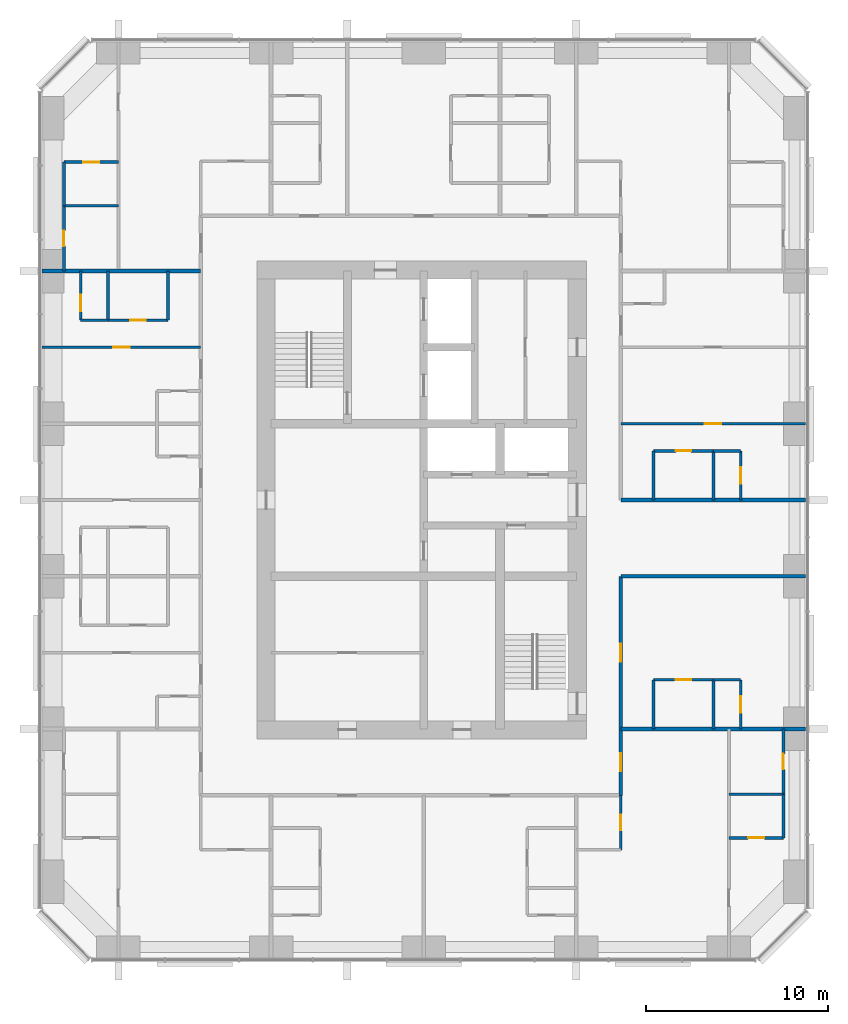
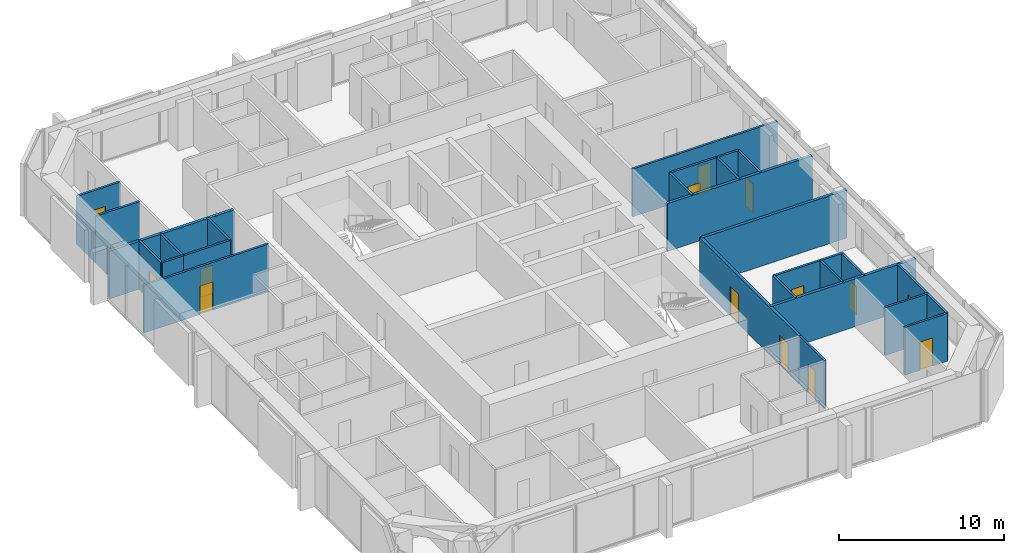
# One storey, part 9 of 12: 31 walls, 15 doors, 15 openings.
"""IFC4 building model written with IfcOpenShell, lengths in metres."""

from ifc_helpers import new_model, si_unit, direction, frame, frame_2d, origin, place, context, subcontext, project, spatial, rectangle, extrude, material, layer, layer_set, type_object, element, fill, save


model = new_model("IFC4")

# Units and contexts
model_context = context("Model", 3, precision=1e-05, world=origin(), true_north=direction((0.0, 1.0)))
body_context = subcontext(model_context, "Body", "Model", "MODEL_VIEW")
ifc_project = project(units=[si_unit("LENGTHUNIT", "METRE"), si_unit("AREAUNIT", "SQUARE_METRE"), si_unit("VOLUMEUNIT", "CUBIC_METRE"), si_unit("PLANEANGLEUNIT", "RADIAN"), si_unit("MASSUNIT", "GRAM", prefix="KILO")], contexts=[model_context])

# Site, building, storey
site_placement = place(None, origin())
site = spatial("IfcSite", under=ifc_project, at=site_placement, CompositionType="ELEMENT")
building_placement = place(site_placement, origin())
building = spatial("IfcBuilding", under=site, at=building_placement, Name="Dunama Terrace Hotel", CompositionType="ELEMENT")
storey_placement = place(building_placement, frame((0.0, 0.0, 229.5)))
storey = spatial("IfcBuildingStorey", under=building, at=storey_placement, Name="L59", CompositionType="ELEMENT", Elevation=229.5)

# Wall, opening, door
ifc_material_1 = material(Name="Gypsum board partition", Category="masonry")
ifc_layer_1 = layer(ifc_material_1, 0.14990234375)
ifc_layer_set_1 = layer_set([ifc_layer_1], Name="Bathroom partition 150")
wall_type_1 = type_object("IfcWallType", Name="Bathroom partition 150", PredefinedType="PARTITIONING", material=ifc_layer_set_1)
wall_1_placement = place(storey_placement, frame((13.800048828125, 42.0, 0.0), z_axis=(0.0, 0.0, 1.0), x_axis=(0.0, 1.0, 0.0)))
wall_1 = element("IfcWall", 1, at=wall_1_placement, inside=storey, type_object=wall_type_1, Name="Bathroom partition 150 L59", PredefinedType="PARTITIONING", context=body_context, shape_type="SweptSolid", body=[
    extrude(rectangle(XDim=3.60009765625, YDim=0.14990234375, at=frame_2d((1.800048828125, 0.0))), origin(), (0.0, 0.0, 1.0), 3.550048828125),
])
opening_1_placement = place(wall_1_placement, frame((1.375, 0.0, 0.0)))
opening_1 = element("IfcOpeningElement", 2, at=opening_1_placement, cuts=wall_1, Name="Opening L59-064", PredefinedType="OPENING", context=body_context, shape_type="SweptSolid", body=[
    extrude(rectangle(XDim=0.85009765625, YDim=2.10009765625, at=frame_2d((0.425048828125, 1.050048828125))), frame((0.0, 0.0849609375, 0.0), z_axis=(0.0, -1.0, 0.0), x_axis=(1.0, 0.0, 0.0)), (0.0, 0.0, 1.0), 0.169921875),
])
ifc_material_2 = material(Name="Timber door with steel frame", Category="steel")
door_type_1 = type_object("IfcDoorType", Name="Bathroom door 850", OperationType="SINGLE_SWING_LEFT", PredefinedType="DOOR", material=ifc_material_2)
door_1_placement = place(opening_1_placement, frame((0.85009765625, 0.0, 0.0), z_axis=(0.0, 0.0, 1.0), x_axis=(-1.0, 0.0, 0.0)))
door_1 = element("IfcDoor", 3, at=door_1_placement, inside=storey, type_object=door_type_1, Name="Door to en-suite bathroom L59-064, type D2", OperationType="SINGLE_SWING_RIGHT", OverallHeight=2.10009765625, OverallWidth=0.85009765625, PredefinedType="DOOR", context=body_context, shape_type="SweptSolid", body=[
    extrude(rectangle(XDim=0.85009765625, YDim=2.10009765625, at=frame_2d((0.425048828125, 1.050048828125))), frame((0.0, 0.025146484375, 0.0), z_axis=(0.0, -1.0, 0.0), x_axis=(1.0, 0.0, 0.0)), (0.0, 0.0, 1.0), 0.050048828125),
])
fill(opening_1, door_1)

# Wall
wall_2_placement = place(storey_placement, frame((19.52490234375, 39.300048828125, 0.0), z_axis=(0.0, 0.0, 1.0), x_axis=(0.0, 1.0, 0.0)))
element("IfcWall", 4, at=wall_2_placement, inside=storey, type_object=wall_type_1, Name="Bathroom partition 150 L59", PredefinedType="PARTITIONING", context=body_context, shape_type="SweptSolid", body=[
    extrude(rectangle(XDim=2.699951171875, YDim=0.14990234375, at=frame_2d((1.35009765625, 0.0))), origin(), (0.0, 0.0, 1.0), 3.550048828125),
])

# Wall, opening, door
wall_3_placement = place(storey_placement, frame((44.449951171875, 10.14990234375, 0.0), z_axis=(0.0, 0.0, 1.0), x_axis=(0.0, 1.0, 0.0)))
wall_3 = element("IfcWall", 5, at=wall_3_placement, inside=storey, type_object=wall_type_1, Name="Bathroom partition 150 L59", PredefinedType="PARTITIONING", context=body_context, shape_type="SweptSolid", body=[
    extrude(rectangle(XDim=3.0, YDim=0.14990234375, at=frame_2d((1.5, 0.0))), origin(), (0.0, 0.0, 1.0), 3.550048828125),
])
opening_2_placement = place(wall_3_placement, frame((1.074951171875, 0.0, 0.0)))
opening_2 = element("IfcOpeningElement", 6, at=opening_2_placement, cuts=wall_3, Name="Opening L59-052", PredefinedType="OPENING", context=body_context, shape_type="SweptSolid", body=[
    extrude(rectangle(XDim=0.85009765625, YDim=2.10009765625, at=frame_2d((0.425048828125, 1.050048828125))), frame((0.0, 0.0849609375, 0.0), z_axis=(0.0, -1.0, 0.0), x_axis=(1.0, 0.0, 0.0)), (0.0, 0.0, 1.0), 0.169921875),
])
door_2_placement = place(opening_2_placement, origin())
door_2 = element("IfcDoor", 7, at=door_2_placement, inside=storey, type_object=door_type_1, Name="Door to powder room L59-052, type D2", OperationType="SINGLE_SWING_RIGHT", OverallHeight=2.10009765625, OverallWidth=0.85009765625, PredefinedType="DOOR", context=body_context, shape_type="SweptSolid", body=[
    extrude(rectangle(XDim=0.85009765625, YDim=2.10009765625, at=frame_2d((0.425048828125, 1.050048828125))), frame((0.0, 0.02490234375, 0.0), z_axis=(0.0, -1.0, 0.0), x_axis=(1.0, 0.0, 0.0)), (0.0, 0.0, 1.0), 0.050048828125),
])
fill(opening_2, door_2)

# Walls
wall_4_placement = place(storey_placement, frame((46.25, 16.800048828125, 0.0), z_axis=(0.0, 0.0, 1.0), x_axis=(0.0, 1.0, 0.0)))
element("IfcWall", 8, at=wall_4_placement, inside=storey, type_object=wall_type_1, Name="Bathroom partition 150 L59", PredefinedType="PARTITIONING", context=body_context, shape_type="SweptSolid", body=[
    extrude(rectangle(XDim=2.699951171875, YDim=0.14990234375, at=frame_2d((1.35009765625, 0.0))), origin(), (0.0, 0.0, 1.0), 3.550048828125),
])
wall_5_placement = place(storey_placement, frame((46.25, 29.39990234375, 0.0), z_axis=(0.0, 0.0, 1.0), x_axis=(0.0, 1.0, 0.0)))
element("IfcWall", 9, at=wall_5_placement, inside=storey, type_object=wall_type_1, Name="Bathroom partition 150 L59", PredefinedType="PARTITIONING", context=body_context, shape_type="SweptSolid", body=[
    extrude(rectangle(XDim=2.7001953125, YDim=0.14990234375, at=frame_2d((1.35009765625, 0.0))), origin(), (0.0, 0.0, 1.0), 3.550048828125),
])

# Wall, opening, door
wall_6_placement = place(storey_placement, frame((53.39990234375, 13.199951171875, 0.0), z_axis=(0.0, 0.0, 1.0), x_axis=(0.0, 1.0, 0.0)))
wall_6 = element("IfcWall", 10, at=wall_6_placement, inside=storey, type_object=wall_type_1, Name="Bathroom partition 150 L59", PredefinedType="PARTITIONING", context=body_context, shape_type="SweptSolid", body=[
    extrude(rectangle(XDim=3.60009765625, YDim=0.14990234375, at=frame_2d((1.800048828125, 0.0))), origin(), (0.0, 0.0, 1.0), 3.550048828125),
])
opening_3_placement = place(wall_6_placement, frame((1.375, 0.0, 0.0)))
opening_3 = element("IfcOpeningElement", 11, at=opening_3_placement, cuts=wall_6, Name="Opening L59-054", PredefinedType="OPENING", context=body_context, shape_type="SweptSolid", body=[
    extrude(rectangle(XDim=0.85009765625, YDim=2.10009765625, at=frame_2d((0.425048828125, 1.050048828125))), frame((0.0, 0.0849609375, 0.0), z_axis=(0.0, -1.0, 0.0), x_axis=(1.0, 0.0, 0.0)), (0.0, 0.0, 1.0), 0.169921875),
])
door_3_placement = place(opening_3_placement, origin())
door_3 = element("IfcDoor", 12, at=door_3_placement, inside=storey, type_object=door_type_1, Name="Door to en-suite bathroom L59-054, type D2", OperationType="SINGLE_SWING_RIGHT", OverallHeight=2.10009765625, OverallWidth=0.85009765625, PredefinedType="DOOR", context=body_context, shape_type="SweptSolid", body=[
    extrude(rectangle(XDim=0.85009765625, YDim=2.10009765625, at=frame_2d((0.425048828125, 1.050048828125))), frame((0.0, 0.02490234375, 0.0), z_axis=(0.0, -1.0, 0.0), x_axis=(1.0, 0.0, 0.0)), (0.0, 0.0, 1.0), 0.050048828125),
])
fill(opening_3, door_3)

wall_7_placement = place(storey_placement, frame((46.25, 19.5, 0.0), z_axis=(0.0, 0.0, 1.0), x_axis=(1.0, 0.0, 0.0)))
wall_7 = element("IfcWall", 13, at=wall_7_placement, inside=storey, type_object=wall_type_1, Name="Bathroom partition 150 L59", PredefinedType="PARTITIONING", context=body_context, shape_type="SweptSolid", body=[
    extrude(rectangle(XDim=3.300048828125, YDim=0.14990234375, at=frame_2d((1.64990234375, 0.0))), origin(), (0.0, 0.0, 1.0), 3.550048828125),
])
opening_4_placement = place(wall_7_placement, frame((1.22509765625, 0.0, 0.0)))
opening_4 = element("IfcOpeningElement", 14, at=opening_4_placement, cuts=wall_7, Name="Opening L59-014", PredefinedType="OPENING", context=body_context, shape_type="SweptSolid", body=[
    extrude(rectangle(XDim=0.85009765625, YDim=2.10009765625, at=frame_2d((0.425048828125, 1.050048828125))), frame((0.0, 0.0849609375, 0.0), z_axis=(0.0, -1.0, 0.0), x_axis=(1.0, 0.0, 0.0)), (0.0, 0.0, 1.0), 0.169921875),
])
door_4_placement = place(opening_4_placement, frame((0.85009765625, 0.0, 0.0), z_axis=(0.0, 0.0, 1.0), x_axis=(-1.0, 0.0, 0.0)))
door_4 = element("IfcDoor", 15, at=door_4_placement, inside=storey, type_object=door_type_1, Name="Door to en-suite bathroom L59-014, type D2", OperationType="SINGLE_SWING_LEFT", OverallHeight=2.10009765625, OverallWidth=0.85009765625, PredefinedType="DOOR", context=body_context, shape_type="SweptSolid", body=[
    extrude(rectangle(XDim=0.85009765625, YDim=2.10009765625, at=frame_2d((0.425048828125, 1.050048828125))), frame((0.0, 0.025146484375, 0.0), z_axis=(0.0, -1.0, 0.0), x_axis=(1.0, 0.0, 0.0)), (0.0, 0.0, 1.0), 0.050048828125),
])
fill(opening_4, door_4)

wall_8_placement = place(storey_placement, frame((46.25, 32.10009765625, 0.0), z_axis=(0.0, 0.0, 1.0), x_axis=(1.0, 0.0, 0.0)))
wall_8 = element("IfcWall", 16, at=wall_8_placement, inside=storey, type_object=wall_type_1, Name="Bathroom partition 150 L59", PredefinedType="PARTITIONING", context=body_context, shape_type="SweptSolid", body=[
    extrude(rectangle(XDim=3.300048828125, YDim=0.14990234375, at=frame_2d((1.64990234375, 0.0))), origin(), (0.0, 0.0, 1.0), 3.550048828125),
])
opening_5_placement = place(wall_8_placement, frame((1.22509765625, 0.0, 0.0)))
opening_5 = element("IfcOpeningElement", 17, at=opening_5_placement, cuts=wall_8, Name="Opening L59-020", PredefinedType="OPENING", context=body_context, shape_type="SweptSolid", body=[
    extrude(rectangle(XDim=0.85009765625, YDim=2.10009765625, at=frame_2d((0.425048828125, 1.050048828125))), frame((0.0, 0.0849609375, 0.0), z_axis=(0.0, -1.0, 0.0), x_axis=(1.0, 0.0, 0.0)), (0.0, 0.0, 1.0), 0.169921875),
])
door_5_placement = place(opening_5_placement, frame((0.85009765625, 0.0, 0.0), z_axis=(0.0, 0.0, 1.0), x_axis=(-1.0, 0.0, 0.0)))
door_5 = element("IfcDoor", 18, at=door_5_placement, inside=storey, type_object=door_type_1, Name="Door to en-suite bathroom L59-020, type D2", OperationType="SINGLE_SWING_LEFT", OverallHeight=2.10009765625, OverallWidth=0.85009765625, PredefinedType="DOOR", context=body_context, shape_type="SweptSolid", body=[
    extrude(rectangle(XDim=0.85009765625, YDim=2.10009765625, at=frame_2d((0.425048828125, 1.050048828125))), frame((0.0, 0.025146484375, 0.0), z_axis=(0.0, -1.0, 0.0), x_axis=(1.0, 0.0, 0.0)), (0.0, 0.0, 1.0), 0.050048828125),
])
fill(opening_5, door_5)

wall_9_placement = place(storey_placement, frame((16.22509765625, 39.300048828125, 0.0), z_axis=(0.0, 0.0, 1.0), x_axis=(1.0, 0.0, 0.0)))
wall_9 = element("IfcWall", 19, at=wall_9_placement, inside=storey, type_object=wall_type_1, Name="Bathroom partition 150 L59", PredefinedType="PARTITIONING", context=body_context, shape_type="SweptSolid", body=[
    extrude(rectangle(XDim=3.2998046875, YDim=0.14990234375, at=frame_2d((1.64990234375, 0.0))), origin(), (0.0, 0.0, 1.0), 3.550048828125),
])
opening_6_placement = place(wall_9_placement, frame((1.22509765625, 0.0, 0.0)))
opening_6 = element("IfcOpeningElement", 20, at=opening_6_placement, cuts=wall_9, Name="Opening L59-044", PredefinedType="OPENING", context=body_context, shape_type="SweptSolid", body=[
    extrude(rectangle(XDim=0.85009765625, YDim=2.10009765625, at=frame_2d((0.425048828125, 1.050048828125))), frame((0.0, 0.0849609375, 0.0), z_axis=(0.0, -1.0, 0.0), x_axis=(1.0, 0.0, 0.0)), (0.0, 0.0, 1.0), 0.169921875),
])
door_6_placement = place(opening_6_placement, origin())
door_6 = element("IfcDoor", 21, at=door_6_placement, inside=storey, type_object=door_type_1, Name="Door to en-suite bathroom L59-044, type D2", OperationType="SINGLE_SWING_RIGHT", OverallHeight=2.10009765625, OverallWidth=0.85009765625, PredefinedType="DOOR", context=body_context, shape_type="SweptSolid", body=[
    extrude(rectangle(XDim=0.85009765625, YDim=2.10009765625, at=frame_2d((0.425048828125, 1.050048828125))), frame((0.0, 0.02490234375, 0.0), z_axis=(0.0, -1.0, 0.0), x_axis=(1.0, 0.0, 0.0)), (0.0, 0.0, 1.0), 0.050048828125),
])
fill(opening_6, door_6)

# Wall
ifc_material_3 = material(Name="Concrete blockwork", Category="masonry")
ifc_layer_2 = layer(ifc_material_3, 0.199951171875)
ifc_layer_set_2 = layer_set([ifc_layer_2], Name="Corridor partition 200")
wall_type_2 = type_object("IfcWallType", Name="Corridor partition 200", PredefinedType="PARTITIONING", material=ifc_layer_set_2)
wall_10_placement = place(storey_placement, frame((44.449951171875, 29.39990234375, 0.0), z_axis=(0.0, 0.0, 1.0), x_axis=(1.0, 0.0, 0.0)))
element("IfcWall", 22, at=wall_10_placement, inside=storey, type_object=wall_type_2, Name="Corridor partition 200 L59", PredefinedType="PARTITIONING", context=body_context, shape_type="SweptSolid", body=[
    extrude(rectangle(XDim=10.16796875, YDim=0.199951171875, at=frame_2d((5.083984375, 0.0))), origin(), (0.0, 0.0, 1.0), 3.550048828125),
])

# Wall, openings, doors
wall_11_placement = place(storey_placement, frame((44.449951171875, 25.199951171875, 0.0), z_axis=(0.0, 0.0, 1.0), x_axis=(0.0, -1.0, 0.0)))
wall_11 = element("IfcWall", 23, at=wall_11_placement, inside=storey, type_object=wall_type_2, Name="Corridor partition 200 L59", PredefinedType="PARTITIONING", context=body_context, shape_type="SweptSolid", body=[
    extrude(rectangle(XDim=12.050048828125, YDim=0.199951171875, at=frame_2d((6.02490234375, 0.0))), origin(), (0.0, 0.0, 1.0), 3.550048828125),
])
opening_7_placement = place(wall_11_placement, frame((3.699951171875, 0.0, 0.0)))
opening_7 = element("IfcOpeningElement", 24, at=opening_7_placement, cuts=wall_11, Name="Opening L59-013", PredefinedType="OPENING", context=body_context, shape_type="SweptSolid", body=[
    extrude(rectangle(XDim=1.0, YDim=2.199951171875, at=frame_2d((0.5, 1.10009765625))), frame((0.0, 0.10986328125, 0.0), z_axis=(0.0, -1.0, 0.0), x_axis=(1.0, 0.0, 0.0)), (0.0, 0.0, 1.0), 0.219970703125),
])
opening_8_placement = place(wall_11_placement, frame((9.72509765625, 0.0, 0.0)))
opening_8 = element("IfcOpeningElement", 25, at=opening_8_placement, cuts=wall_11, Name="Opening L59-051", PredefinedType="OPENING", context=body_context, shape_type="SweptSolid", body=[
    extrude(rectangle(XDim=1.0, YDim=2.199951171875, at=frame_2d((0.5, 1.10009765625))), frame((0.0, 0.10986328125, 0.0), z_axis=(0.0, -1.0, 0.0), x_axis=(1.0, 0.0, 0.0)), (0.0, 0.0, 1.0), 0.219970703125),
])
ifc_material_4 = material(Name="Timber door with steel frame", Category="steel")
door_type_2 = type_object("IfcDoorType", Name="Guest room door 1000", OperationType="SINGLE_SWING_LEFT", PredefinedType="DOOR", material=ifc_material_4)
door_7_placement = place(opening_7_placement, origin())
door_7 = element("IfcDoor", 26, at=door_7_placement, inside=storey, type_object=door_type_2, Name="Door to junior suite L59-013, type D1", OperationType="SINGLE_SWING_RIGHT", OverallHeight=2.199951171875, OverallWidth=1.0, PredefinedType="DOOR", context=body_context, shape_type="SweptSolid", body=[
    extrude(rectangle(XDim=1.0, YDim=2.199951171875, at=frame_2d((0.5, 1.10009765625))), frame((0.0, 0.02490234375, 0.0), z_axis=(0.0, -1.0, 0.0), x_axis=(1.0, 0.0, 0.0)), (0.0, 0.0, 1.0), 0.050048828125),
])
fill(opening_7, door_7)
door_8_placement = place(opening_8_placement, origin())
door_8 = element("IfcDoor", 27, at=door_8_placement, inside=storey, type_object=door_type_2, Name="Door to grand corner suite living room L59-051, type D1", OperationType="SINGLE_SWING_LEFT", OverallHeight=2.199951171875, OverallWidth=1.0, PredefinedType="DOOR", context=body_context, shape_type="SweptSolid", body=[
    extrude(rectangle(XDim=1.0, YDim=2.199951171875, at=frame_2d((0.5, 1.10009765625))), frame((0.0, 0.02490234375, 0.0), z_axis=(0.0, -1.0, 0.0), x_axis=(1.0, 0.0, 0.0)), (0.0, 0.0, 1.0), 0.050048828125),
])
fill(opening_8, door_8)

# Walls
wall_12_placement = place(storey_placement, frame((54.617919921875, 25.199951171875, 0.0), z_axis=(0.0, 0.0, 1.0), x_axis=(-1.0, 0.0, 0.0)))
element("IfcWall", 28, at=wall_12_placement, inside=storey, type_object=wall_type_2, Name="Corridor partition 200 L59", PredefinedType="PARTITIONING", context=body_context, shape_type="SweptSolid", body=[
    extrude(rectangle(XDim=10.16796875, YDim=0.199951171875, at=frame_2d((5.083984375, 0.0))), origin(), (0.0, 0.0, 1.0), 3.550048828125),
])
ifc_material_5 = material(Name="Concrete blockwork", Category="masonry")
ifc_layer_3 = layer(ifc_material_5, 0.199951171875)
ifc_layer_set_3 = layer_set([ifc_layer_3], Name="Party wall 200")
wall_type_3 = type_object("IfcWallType", Name="Party wall 200", PredefinedType="PARTITIONING", material=ifc_layer_set_3)
wall_13_placement = place(storey_placement, frame((44.449951171875, 16.800048828125, 0.0), z_axis=(0.0, 0.0, 1.0), x_axis=(1.0, 0.0, 0.0)))
element("IfcWall", 29, at=wall_13_placement, inside=storey, type_object=wall_type_3, Name="Party wall 200 L59", PredefinedType="PARTITIONING", context=body_context, shape_type="SweptSolid", body=[
    extrude(rectangle(XDim=10.16796875, YDim=0.199951171875, at=frame_2d((5.083984375, 0.0))), origin(), (0.0, 0.0, 1.0), 3.550048828125),
])
wall_14_placement = place(storey_placement, frame((12.58203125, 42.0, 0.0), z_axis=(0.0, 0.0, 1.0), x_axis=(1.0, 0.0, 0.0)))
element("IfcWall", 30, at=wall_14_placement, inside=storey, type_object=wall_type_3, Name="Party wall 200 L59", PredefinedType="PARTITIONING", context=body_context, shape_type="SweptSolid", body=[
    extrude(rectangle(XDim=8.742919921875, YDim=0.199951171875, at=frame_2d((4.37158203125, 0.0))), origin(), (0.0, 0.0, 1.0), 3.550048828125),
])
ifc_material_6 = material(Name="Gypsum board partition", Category="masonry")
ifc_layer_4 = layer(ifc_material_6, 0.14990234375)
ifc_layer_set_4 = layer_set([ifc_layer_4], Name="Room partition 150")
wall_type_4 = type_object("IfcWallType", Name="Room partition 150", PredefinedType="PARTITIONING", material=ifc_layer_set_4)
wall_15_placement = place(storey_placement, frame((13.800048828125, 45.60009765625, 0.0), z_axis=(0.0, 0.0, 1.0), x_axis=(0.0, 1.0, 0.0)))
element("IfcWall", 31, at=wall_15_placement, inside=storey, type_object=wall_type_4, Name="Room partition 150 L59", PredefinedType="PARTITIONING", context=body_context, shape_type="SweptSolid", body=[
    extrude(rectangle(XDim=2.39990234375, YDim=0.14990234375, at=frame_2d((1.199951171875, 0.0))), origin(), (0.0, 0.0, 1.0), 3.550048828125),
])

# Wall, opening, door
wall_16_placement = place(storey_placement, frame((14.72509765625, 39.300048828125, 0.0), z_axis=(0.0, 0.0, 1.0), x_axis=(0.0, 1.0, 0.0)))
wall_16 = element("IfcWall", 32, at=wall_16_placement, inside=storey, type_object=wall_type_4, Name="Room partition 150 L59", PredefinedType="PARTITIONING", context=body_context, shape_type="SweptSolid", body=[
    extrude(rectangle(XDim=2.699951171875, YDim=0.14990234375, at=frame_2d((1.35009765625, 0.0))), origin(), (0.0, 0.0, 1.0), 3.550048828125),
])
opening_9_placement = place(wall_16_placement, frame((0.5, 0.0, 0.0)))
opening_9 = element("IfcOpeningElement", 33, at=opening_9_placement, cuts=wall_16, Name="Opening L59-045", PredefinedType="OPENING", context=body_context, shape_type="SweptSolid", body=[
    extrude(rectangle(XDim=0.89990234375, YDim=2.10009765625, at=frame_2d((0.449951171875, 1.050048828125))), frame((0.0, 0.0849609375, 0.0), z_axis=(0.0, -1.0, 0.0), x_axis=(1.0, 0.0, 0.0)), (0.0, 0.0, 1.0), 0.169921875),
])
ifc_material_7 = material(Name="Timber door with steel frame", Category="steel")
door_type_3 = type_object("IfcDoorType", Name="Suite internal door 900", OperationType="SINGLE_SWING_LEFT", PredefinedType="DOOR", material=ifc_material_7)
door_9_placement = place(opening_9_placement, frame((0.89990234375, 0.0, 0.0), z_axis=(0.0, 0.0, 1.0), x_axis=(-1.0, 0.0, 0.0)))
door_9 = element("IfcDoor", 34, at=door_9_placement, inside=storey, type_object=door_type_3, Name="Door to walk-in wardrobe L59-045, type D16", OperationType="SINGLE_SWING_LEFT", OverallHeight=2.10009765625, OverallWidth=0.89990234375, PredefinedType="DOOR", context=body_context, shape_type="SweptSolid", body=[
    extrude(rectangle(XDim=0.89990234375, YDim=2.10009765625, at=frame_2d((0.449951171875, 1.050048828125))), frame((0.0, 0.025146484375, 0.0), z_axis=(0.0, -1.0, 0.0), x_axis=(1.0, 0.0, 0.0)), (0.0, 0.0, 1.0), 0.050048828125),
])
fill(opening_9, door_9)

# Walls
for number, where, z_axis, x_axis, name in (
    (35, (16.22509765625, 39.300048828125, 0.0), (0.0, 0.0, 1.0), (0.0, 1.0, 0.0), "Room partition 150 L59"),
    (36, (49.550048828125, 16.800048828125, 0.0), (0.0, 0.0, 1.0), (0.0, 1.0, 0.0), "Room partition 150 L59"),
):
    element("IfcWall", number, at=place(storey_placement, frame(where, z_axis=z_axis, x_axis=x_axis)), inside=storey, type_object=wall_type_4, Name=name, PredefinedType="PARTITIONING", context=body_context, shape_type="SweptSolid", body=[
        extrude(rectangle(XDim=2.699951171875, YDim=0.14990234375, at=frame_2d((1.35009765625, 0.0))), origin(), (0.0, 0.0, 1.0), 3.550048828125),
    ])
wall_17_placement = place(storey_placement, frame((49.550048828125, 29.39990234375, 0.0), z_axis=(0.0, 0.0, 1.0), x_axis=(0.0, 1.0, 0.0)))
element("IfcWall", 37, at=wall_17_placement, inside=storey, type_object=wall_type_4, Name="Room partition 150 L59", PredefinedType="PARTITIONING", context=body_context, shape_type="SweptSolid", body=[
    extrude(rectangle(XDim=2.7001953125, YDim=0.14990234375, at=frame_2d((1.35009765625, 0.0))), origin(), (0.0, 0.0, 1.0), 3.550048828125),
])

# Wall, opening, door
wall_18_placement = place(storey_placement, frame((51.050048828125, 16.800048828125, 0.0), z_axis=(0.0, 0.0, 1.0), x_axis=(0.0, 1.0, 0.0)))
wall_18 = element("IfcWall", 38, at=wall_18_placement, inside=storey, type_object=wall_type_4, Name="Room partition 150 L59", PredefinedType="PARTITIONING", context=body_context, shape_type="SweptSolid", body=[
    extrude(rectangle(XDim=2.699951171875, YDim=0.14990234375, at=frame_2d((1.35009765625, 0.0))), origin(), (0.0, 0.0, 1.0), 3.550048828125),
])
opening_10_placement = place(wall_18_placement, frame((0.89990234375, 0.0, 0.0)))
opening_10 = element("IfcOpeningElement", 39, at=opening_10_placement, cuts=wall_18, Name="Opening L59-015", PredefinedType="OPENING", context=body_context, shape_type="SweptSolid", body=[
    extrude(rectangle(XDim=0.89990234375, YDim=2.10009765625, at=frame_2d((0.449951171875, 1.050048828125))), frame((0.0, 0.0849609375, 0.0), z_axis=(0.0, -1.0, 0.0), x_axis=(1.0, 0.0, 0.0)), (0.0, 0.0, 1.0), 0.169921875),
])
door_10_placement = place(opening_10_placement, origin())
door_10 = element("IfcDoor", 40, at=door_10_placement, inside=storey, type_object=door_type_3, Name="Door to walk-in wardrobe L59-015, type D16", OperationType="SINGLE_SWING_LEFT", OverallHeight=2.10009765625, OverallWidth=0.89990234375, PredefinedType="DOOR", context=body_context, shape_type="SweptSolid", body=[
    extrude(rectangle(XDim=0.89990234375, YDim=2.10009765625, at=frame_2d((0.449951171875, 1.050048828125))), frame((0.0, 0.02490234375, 0.0), z_axis=(0.0, -1.0, 0.0), x_axis=(1.0, 0.0, 0.0)), (0.0, 0.0, 1.0), 0.050048828125),
])
fill(opening_10, door_10)

wall_19_placement = place(storey_placement, frame((51.050048828125, 29.39990234375, 0.0), z_axis=(0.0, 0.0, 1.0), x_axis=(0.0, 1.0, 0.0)))
wall_19 = element("IfcWall", 41, at=wall_19_placement, inside=storey, type_object=wall_type_4, Name="Room partition 150 L59", PredefinedType="PARTITIONING", context=body_context, shape_type="SweptSolid", body=[
    extrude(rectangle(XDim=2.7001953125, YDim=0.14990234375, at=frame_2d((1.35009765625, 0.0))), origin(), (0.0, 0.0, 1.0), 3.550048828125),
])
opening_11_placement = place(wall_19_placement, frame((0.89990234375, 0.0, 0.0)))
opening_11 = element("IfcOpeningElement", 42, at=opening_11_placement, cuts=wall_19, Name="Opening L59-021", PredefinedType="OPENING", context=body_context, shape_type="SweptSolid", body=[
    extrude(rectangle(XDim=0.89990234375, YDim=2.10009765625, at=frame_2d((0.449951171875, 1.050048828125))), frame((0.0, 0.0849609375, 0.0), z_axis=(0.0, -1.0, 0.0), x_axis=(1.0, 0.0, 0.0)), (0.0, 0.0, 1.0), 0.169921875),
])
door_11_placement = place(opening_11_placement, origin())
door_11 = element("IfcDoor", 43, at=door_11_placement, inside=storey, type_object=door_type_3, Name="Door to walk-in wardrobe L59-021, type D16", OperationType="SINGLE_SWING_LEFT", OverallHeight=2.10009765625, OverallWidth=0.89990234375, PredefinedType="DOOR", context=body_context, shape_type="SweptSolid", body=[
    extrude(rectangle(XDim=0.89990234375, YDim=2.10009765625, at=frame_2d((0.449951171875, 1.050048828125))), frame((0.0, 0.02490234375, 0.0), z_axis=(0.0, -1.0, 0.0), x_axis=(1.0, 0.0, 0.0)), (0.0, 0.0, 1.0), 0.050048828125),
])
fill(opening_11, door_11)

# Wall
wall_20_placement = place(storey_placement, frame((53.39990234375, 10.800048828125, 0.0), z_axis=(0.0, 0.0, 1.0), x_axis=(0.0, 1.0, 0.0)))
element("IfcWall", 44, at=wall_20_placement, inside=storey, type_object=wall_type_4, Name="Room partition 150 L59", PredefinedType="PARTITIONING", context=body_context, shape_type="SweptSolid", body=[
    extrude(rectangle(XDim=2.39990234375, YDim=0.14990234375, at=frame_2d((1.199951171875, 0.0))), origin(), (0.0, 0.0, 1.0), 3.550048828125),
])

# Wall, opening, door
wall_21_placement = place(storey_placement, frame((50.39990234375, 10.800048828125, 0.0), z_axis=(0.0, 0.0, 1.0), x_axis=(1.0, 0.0, 0.0)))
wall_21 = element("IfcWall", 45, at=wall_21_placement, inside=storey, type_object=wall_type_4, Name="Room partition 150 L59", PredefinedType="PARTITIONING", context=body_context, shape_type="SweptSolid", body=[
    extrude(rectangle(XDim=3.0, YDim=0.14990234375, at=frame_2d((1.5, 0.0))), origin(), (0.0, 0.0, 1.0), 3.550048828125),
])
opening_12_placement = place(wall_21_placement, frame((1.050048828125, 0.0, 0.0)))
opening_12 = element("IfcOpeningElement", 46, at=opening_12_placement, cuts=wall_21, Name="Opening L59-055", PredefinedType="OPENING", context=body_context, shape_type="SweptSolid", body=[
    extrude(rectangle(XDim=0.89990234375, YDim=2.10009765625, at=frame_2d((0.449951171875, 1.050048828125))), frame((0.0, 0.0849609375, 0.0), z_axis=(0.0, -1.0, 0.0), x_axis=(1.0, 0.0, 0.0)), (0.0, 0.0, 1.0), 0.169921875),
])
door_12_placement = place(opening_12_placement, origin())
door_12 = element("IfcDoor", 47, at=door_12_placement, inside=storey, type_object=door_type_3, Name="Door to dressing room L59-055, type D16", OperationType="SINGLE_SWING_LEFT", OverallHeight=2.10009765625, OverallWidth=0.89990234375, PredefinedType="DOOR", context=body_context, shape_type="SweptSolid", body=[
    extrude(rectangle(XDim=0.89990234375, YDim=2.10009765625, at=frame_2d((0.449951171875, 1.050048828125))), frame((0.0, 0.02490234375, 0.0), z_axis=(0.0, -1.0, 0.0), x_axis=(1.0, 0.0, 0.0)), (0.0, 0.0, 1.0), 0.050048828125),
])
fill(opening_12, door_12)

# Walls
wall_22_placement = place(storey_placement, frame((50.39990234375, 13.199951171875, 0.0), z_axis=(0.0, 0.0, 1.0), x_axis=(1.0, 0.0, 0.0)))
element("IfcWall", 48, at=wall_22_placement, inside=storey, type_object=wall_type_4, Name="Room partition 150 L59", PredefinedType="PARTITIONING", context=body_context, shape_type="SweptSolid", body=[
    extrude(rectangle(XDim=3.0, YDim=0.14990234375, at=frame_2d((1.5, 0.0))), origin(), (0.0, 0.0, 1.0), 3.550048828125),
])
for number, where, z_axis, x_axis, name in (
    (49, (49.550048828125, 19.5, 0.0), (0.0, 0.0, 1.0), (1.0, 0.0, 0.0), "Room partition 150 L59"),
    (50, (49.550048828125, 32.10009765625, 0.0), (0.0, 0.0, 1.0), (1.0, 0.0, 0.0), "Room partition 150 L59"),
):
    element("IfcWall", number, at=place(storey_placement, frame(where, z_axis=z_axis, x_axis=x_axis)), inside=storey, type_object=wall_type_4, Name=name, PredefinedType="PARTITIONING", context=body_context, shape_type="SweptSolid", body=[
        extrude(rectangle(XDim=1.5, YDim=0.14990234375, at=frame_2d((0.75, 0.0))), origin(), (0.0, 0.0, 1.0), 3.550048828125),
    ])

# Wall, opening, door
wall_23_placement = place(storey_placement, frame((44.449951171875, 33.60009765625, 0.0), z_axis=(0.0, 0.0, 1.0), x_axis=(1.0, 0.0, 0.0)))
wall_23 = element("IfcWall", 51, at=wall_23_placement, inside=storey, type_object=wall_type_4, Name="Room partition 150 L59", PredefinedType="PARTITIONING", context=body_context, shape_type="SweptSolid", body=[
    extrude(rectangle(XDim=10.16796875, YDim=0.14990234375, at=frame_2d((5.083984375, 0.0))), origin(), (0.0, 0.0, 1.0), 3.550048828125),
])
opening_13_placement = place(wall_23_placement, frame((4.625, 0.0, 0.0)))
opening_13 = element("IfcOpeningElement", 52, at=opening_13_placement, cuts=wall_23, Name="Opening L59-019", PredefinedType="OPENING", context=body_context, shape_type="SweptSolid", body=[
    extrude(rectangle(XDim=0.89990234375, YDim=2.10009765625, at=frame_2d((0.449951171875, 1.050048828125))), frame((0.0, 0.0849609375, 0.0), z_axis=(0.0, -1.0, 0.0), x_axis=(1.0, 0.0, 0.0)), (0.0, 0.0, 1.0), 0.169921875),
])
door_13_placement = place(opening_13_placement, frame((0.89990234375, 0.0, 0.0), z_axis=(0.0, 0.0, 1.0), x_axis=(-1.0, 0.0, 0.0)))
door_13 = element("IfcDoor", 53, at=door_13_placement, inside=storey, type_object=door_type_3, Name="Door to ambassador suite bedroom L59-019, type D16", OperationType="SINGLE_SWING_RIGHT", OverallHeight=2.10009765625, OverallWidth=0.89990234375, PredefinedType="DOOR", context=body_context, shape_type="SweptSolid", body=[
    extrude(rectangle(XDim=0.89990234375, YDim=2.10009765625, at=frame_2d((0.449951171875, 1.050048828125))), frame((0.0, 0.025146484375, 0.0), z_axis=(0.0, -1.0, 0.0), x_axis=(1.0, 0.0, 0.0)), (0.0, 0.0, 1.0), 0.050048828125),
])
fill(opening_13, door_13)

wall_24_placement = place(storey_placement, frame((12.58203125, 37.800048828125, 0.0), z_axis=(0.0, 0.0, 1.0), x_axis=(1.0, 0.0, 0.0)))
wall_24 = element("IfcWall", 54, at=wall_24_placement, inside=storey, type_object=wall_type_4, Name="Room partition 150 L59", PredefinedType="PARTITIONING", context=body_context, shape_type="SweptSolid", body=[
    extrude(rectangle(XDim=8.742919921875, YDim=0.14990234375, at=frame_2d((4.37158203125, 0.0))), origin(), (0.0, 0.0, 1.0), 3.550048828125),
])
opening_14_placement = place(wall_24_placement, frame((3.929931640625, 0.0, 0.0)))
opening_14 = element("IfcOpeningElement", 55, at=opening_14_placement, cuts=wall_24, Name="Opening L59-043", PredefinedType="OPENING", context=body_context, shape_type="SweptSolid", body=[
    extrude(rectangle(XDim=0.89990234375, YDim=2.10009765625, at=frame_2d((0.449951171875, 1.050048828125))), frame((0.0, 0.0849609375, 0.0), z_axis=(0.0, -1.0, 0.0), x_axis=(1.0, 0.0, 0.0)), (0.0, 0.0, 1.0), 0.169921875),
])
door_14_placement = place(opening_14_placement, origin())
door_14 = element("IfcDoor", 56, at=door_14_placement, inside=storey, type_object=door_type_3, Name="Door to one-bedroom suite bedroom L59-043, type D16", OperationType="SINGLE_SWING_LEFT", OverallHeight=2.10009765625, OverallWidth=0.89990234375, PredefinedType="DOOR", context=body_context, shape_type="SweptSolid", body=[
    extrude(rectangle(XDim=0.89990234375, YDim=2.10009765625, at=frame_2d((0.449951171875, 1.050048828125))), frame((0.0, 0.02490234375, 0.0), z_axis=(0.0, -1.0, 0.0), x_axis=(1.0, 0.0, 0.0)), (0.0, 0.0, 1.0), 0.050048828125),
])
fill(opening_14, door_14)

# Walls
wall_25_placement = place(storey_placement, frame((14.72509765625, 39.300048828125, 0.0), z_axis=(0.0, 0.0, 1.0), x_axis=(1.0, 0.0, 0.0)))
element("IfcWall", 57, at=wall_25_placement, inside=storey, type_object=wall_type_4, Name="Room partition 150 L59", PredefinedType="PARTITIONING", context=body_context, shape_type="SweptSolid", body=[
    extrude(rectangle(XDim=1.5, YDim=0.14990234375, at=frame_2d((0.75, 0.0))), origin(), (0.0, 0.0, 1.0), 3.550048828125),
])
wall_26_placement = place(storey_placement, frame((13.800048828125, 45.60009765625, 0.0), z_axis=(0.0, 0.0, 1.0), x_axis=(1.0, 0.0, 0.0)))
element("IfcWall", 58, at=wall_26_placement, inside=storey, type_object=wall_type_4, Name="Room partition 150 L59", PredefinedType="PARTITIONING", context=body_context, shape_type="SweptSolid", body=[
    extrude(rectangle(XDim=3.0, YDim=0.14990234375, at=frame_2d((1.5, 0.0))), origin(), (0.0, 0.0, 1.0), 3.550048828125),
])

# Wall, opening, door
wall_27_placement = place(storey_placement, frame((13.800048828125, 48.0, 0.0), z_axis=(0.0, 0.0, 1.0), x_axis=(1.0, 0.0, 0.0)))
wall_27 = element("IfcWall", 59, at=wall_27_placement, inside=storey, type_object=wall_type_4, Name="Room partition 150 L59", PredefinedType="PARTITIONING", context=body_context, shape_type="SweptSolid", body=[
    extrude(rectangle(XDim=3.0, YDim=0.14990234375, at=frame_2d((1.5, 0.0))), origin(), (0.0, 0.0, 1.0), 3.550048828125),
])
opening_15_placement = place(wall_27_placement, frame((1.050048828125, 0.0, 0.0)))
opening_15 = element("IfcOpeningElement", 60, at=opening_15_placement, cuts=wall_27, Name="Opening L59-065", PredefinedType="OPENING", context=body_context, shape_type="SweptSolid", body=[
    extrude(rectangle(XDim=0.89990234375, YDim=2.10009765625, at=frame_2d((0.449951171875, 1.050048828125))), frame((0.0, 0.0849609375, 0.0), z_axis=(0.0, -1.0, 0.0), x_axis=(1.0, 0.0, 0.0)), (0.0, 0.0, 1.0), 0.169921875),
])
door_15_placement = place(opening_15_placement, frame((0.89990234375, 0.0, 0.0), z_axis=(0.0, 0.0, 1.0), x_axis=(-1.0, 0.0, 0.0)))
door_15 = element("IfcDoor", 61, at=door_15_placement, inside=storey, type_object=door_type_3, Name="Door to dressing room L59-065, type D16", OperationType="SINGLE_SWING_LEFT", OverallHeight=2.10009765625, OverallWidth=0.89990234375, PredefinedType="DOOR", context=body_context, shape_type="SweptSolid", body=[
    extrude(rectangle(XDim=0.89990234375, YDim=2.10009765625, at=frame_2d((0.449951171875, 1.050048828125))), frame((0.0, 0.025146484375, 0.0), z_axis=(0.0, -1.0, 0.0), x_axis=(1.0, 0.0, 0.0)), (0.0, 0.0, 1.0), 0.050048828125),
])
fill(opening_15, door_15)

save(model, "model.ifc")
